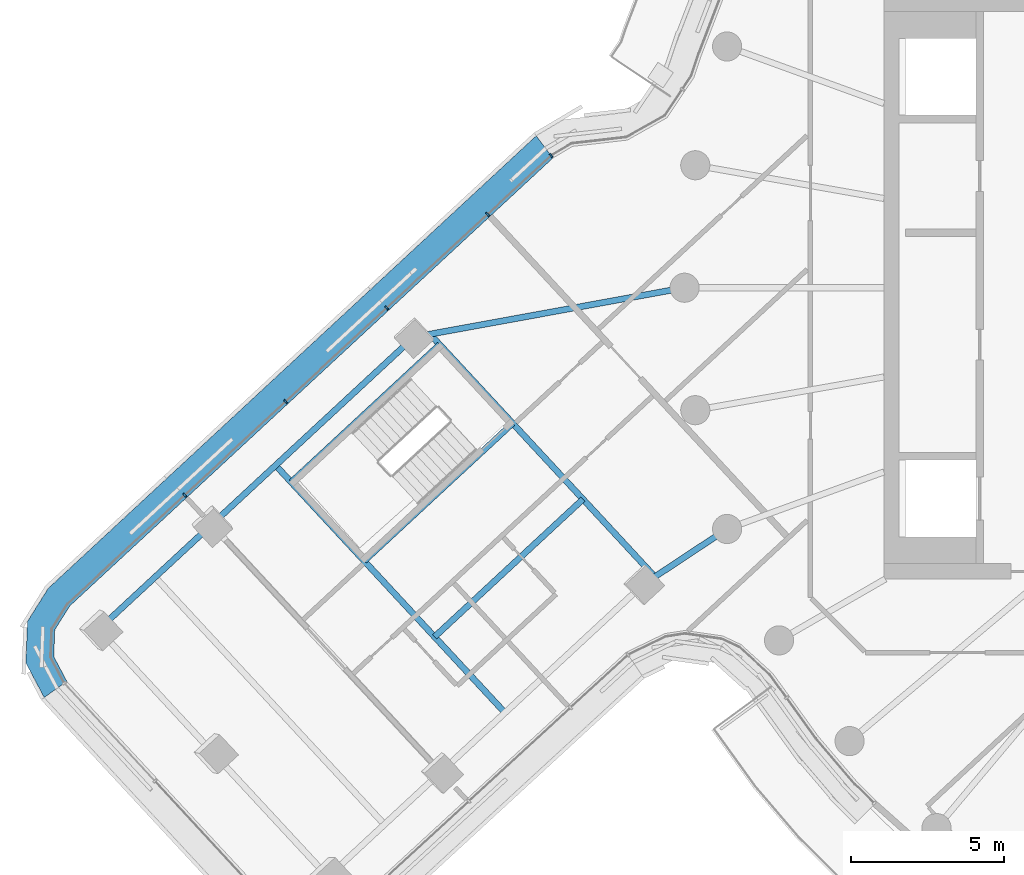
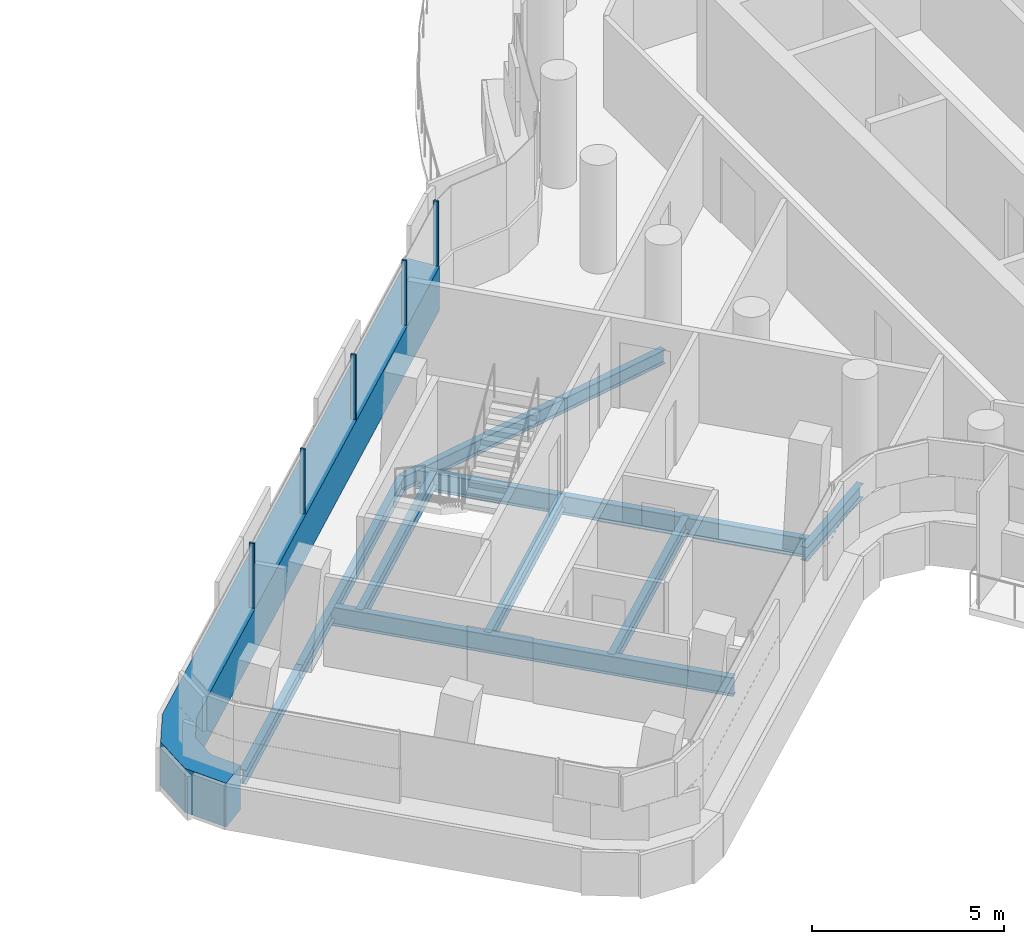
# One storey, part 9 of 34: 9 beams, 6 members, 1 element without a shape of its own.
"""IFC4 building model written with IfcOpenShell, lengths in metres."""

import ifcopenshell
import ifcopenshell.guid

model = None  # the IFC model being written
_history = None  # IfcOwnerHistory: only IFC2X3 demands one
_inside = {}  # id of a spatial element -> (the spatial element, [elements in it])
_under = {}  # id of a project, library or spatial element -> (it, [spatial elements below it])
_declared = {}  # id of a project -> (the project, [libraries it declares])
_typed = {}  # id of a type object -> (the type object, [elements of that type])
_made_of = {}  # id of a material, layer set ... -> (it, [elements and type objects made of it])


def new_model(schema):
    """Start an empty IFC model of exactly this schema.

    Asked for "IFC4X3", IfcOpenShell would pick the latest addendum, in which some entities
    have other attributes; the version numbers below select the first issue.
    IFC2X3 requires an IfcOwnerHistory on every rooted entity: one is made here for all.
    """
    global model, _history
    if schema == "IFC4X3":
        model = ifcopenshell.file(schema_version=(4, 3, 0, 0))
    else:
        model = ifcopenshell.file(schema=schema)
    _inside.clear()
    _under.clear()
    _declared.clear()
    _typed.clear()
    _made_of.clear()
    _history = None
    if model.schema == "IFC2X3":
        org = make("IfcOrganization", Name="unknown")
        user = make(
            "IfcPersonAndOrganization",
            ThePerson=make("IfcPerson", FamilyName="unknown"),
            TheOrganization=org,
        )
        app = make(
            "IfcApplication",
            ApplicationDeveloper=org,
            Version="unknown",
            ApplicationFullName="unknown",
            ApplicationIdentifier="unknown",
        )
        _history = make(
            "IfcOwnerHistory",
            OwningUser=user,
            OwningApplication=app,
            ChangeAction="ADDED",
            CreationDate=0,
        )
    return model


def make(cls, **values):
    """One entity of the class cls with the attributes given. An attribute that is None is left unset."""
    return model.create_entity(
        cls, **{name: value for name, value in values.items() if value is not None}
    )


def rooted(cls, **values):
    """An entity with a GlobalId (a new one), such as an element, a storey or a relation."""
    return make(cls, GlobalId=ifcopenshell.guid.new(), OwnerHistory=_history, **values)


def si_unit(unit_type, name, prefix=None):
    """IfcSIUnit, for example si_unit("LENGTHUNIT", "METRE", prefix="MILLI")."""
    return make("IfcSIUnit", UnitType=unit_type, Prefix=prefix, Name=name)


def assignment(units):
    """IfcUnitAssignment: the units of a project."""
    return None if units is None else make("IfcUnitAssignment", Units=units)


def point(xyz):
    """IfcCartesianPoint."""
    return None if xyz is None else make("IfcCartesianPoint", Coordinates=xyz)


def direction(xyz):
    """IfcDirection."""
    return None if xyz is None else make("IfcDirection", DirectionRatios=xyz)


def frame(location, z_axis=None, x_axis=None):
    """IfcAxis2Placement3D, a coordinate frame: its origin and axes. An axis left out is left unset."""
    return make(
        "IfcAxis2Placement3D",
        Location=point(location),
        Axis=direction(z_axis),
        RefDirection=direction(x_axis),
    )


def frame_2d(location, x_axis=None):
    """IfcAxis2Placement2D, a coordinate frame in the plane: its origin and x axis."""
    return make(
        "IfcAxis2Placement2D", Location=point(location), RefDirection=direction(x_axis)
    )


def origin():
    """The frame at (0, 0, 0) with its axes left unset."""
    return frame((0.0, 0.0, 0.0))


def origin_2d():
    """The frame at (0, 0) in the plane with its x axis left unset."""
    return frame_2d((0.0, 0.0))


def place(relative_to, where):
    """IfcLocalPlacement: puts the frame where relative to a parent placement (None: the world)."""
    return make(
        "IfcLocalPlacement", PlacementRelTo=relative_to, RelativePlacement=where
    )


def context(
    kind, dimensions, precision=None, world=None, true_north=None, identifier=None
):
    """IfcGeometricRepresentationContext, for example the 3D "Model" context."""
    return make(
        "IfcGeometricRepresentationContext",
        ContextIdentifier=identifier,
        ContextType=kind,
        CoordinateSpaceDimension=dimensions,
        Precision=precision,
        WorldCoordinateSystem=world,
        TrueNorth=true_north,
    )


def subcontext(parent, identifier, kind, view, scale=None):
    """IfcGeometricRepresentationSubContext, for example "Body" below "Model"."""
    return make(
        "IfcGeometricRepresentationSubContext",
        ContextIdentifier=identifier,
        ContextType=kind,
        ParentContext=parent,
        TargetScale=scale,
        TargetView=view,
    )


def project(units=None, contexts=None):
    """IfcProject with its units and contexts."""
    return rooted(
        "IfcProject",
        Name="project",
        RepresentationContexts=contexts,
        UnitsInContext=assignment(units),
    )


def spatial(cls, under=None, at=None, **own):
    """A site, building, storey or space (cls), placed at a placement, below another one or the project."""
    s = rooted(cls, ObjectPlacement=at, **own)
    if under is not None:
        _under.setdefault(under.id(), (under, []))[1].append(s)
    return s


def polyline(points):
    """IfcPolyline through the points."""
    return make("IfcPolyline", Points=[point(p) for p in points])


def profile(cls, at=None, kind="AREA", **sizes):
    """A parametric profile (cls). Its sizes go by their IFC names, for example OverallWidth=200.0."""
    return make(cls, ProfileType=kind, Position=at, **sizes)


def rectangle(**sizes):
    """IfcRectangleProfileDef."""
    return profile("IfcRectangleProfileDef", **sizes)


def i_section(**sizes):
    """IfcIShapeProfileDef."""
    return profile("IfcIShapeProfileDef", **sizes)


def outline(outer, holes=None, kind="AREA"):
    """IfcArbitraryClosedProfileDef: a profile drawn as a closed curve; with holes, ...WithVoids."""
    if holes is None:
        return make("IfcArbitraryClosedProfileDef", ProfileType=kind, OuterCurve=outer)
    return make(
        "IfcArbitraryProfileDefWithVoids",
        ProfileType=kind,
        OuterCurve=outer,
        InnerCurves=holes,
    )


def extrude(swept, where, along, depth):
    """IfcExtrudedAreaSolid: the profile swept, set in the frame where, extruded along a direction by depth."""
    return make(
        "IfcExtrudedAreaSolid",
        SweptArea=swept,
        Position=where,
        ExtrudedDirection=direction(along),
        Depth=depth,
    )


def shape(context_of_items, identifier, shape_type, items):
    """IfcShapeRepresentation: the items that make up one representation, for example the "Body"."""
    return make(
        "IfcShapeRepresentation",
        ContextOfItems=context_of_items,
        RepresentationIdentifier=identifier,
        RepresentationType=shape_type,
        Items=items,
    )


def material(Name=None, Category=None):
    """IfcMaterial."""
    return make("IfcMaterial", Name=Name, Category=Category)


def layer(
    of_material, thickness, ventilated=None, Name=None, Category=None, Priority=None
):
    """IfcMaterialLayer: one layer of a wall or slab, of a material (None: an air gap)."""
    return make(
        "IfcMaterialLayer",
        Material=of_material,
        LayerThickness=thickness,
        IsVentilated=ventilated,
        Name=Name,
        Category=Category,
        Priority=Priority,
    )


def layer_set(layers, Name=None):
    """IfcMaterialLayerSet."""
    return make("IfcMaterialLayerSet", MaterialLayers=layers, LayerSetName=Name)


def material_profile(
    of_material, cross_section, Name=None, Category=None, Priority=None
):
    """IfcMaterialProfile: a cross section and its material."""
    return make(
        "IfcMaterialProfile",
        Name=Name,
        Material=of_material,
        Profile=cross_section,
        Priority=Priority,
        Category=Category,
    )


def profile_set(profiles, Name=None, composite=None):
    """IfcMaterialProfileSet."""
    return make(
        "IfcMaterialProfileSet",
        Name=Name,
        MaterialProfiles=profiles,
        CompositeProfile=composite,
    )


def made_of(thing, what):
    """Note that an element or type object is made of a material, layer set ...; save() writes the relation."""
    if what is not None:
        _made_of.setdefault(what.id(), (what, []))[1].append(thing)
    return thing


def type_object(cls, material=None, **own):
    """A type object (cls), such as IfcWallType, which elements share."""
    return made_of(rooted(cls, **own), material)


def element(
    cls,
    number,
    at=None,
    inside=None,
    cuts=None,
    type_object=None,
    material=None,
    context=None,
    identifier="Body",
    shape_type=None,
    held_by="IfcProductDefinitionShape",
    body=None,
    shapes=None,
    **own,
):
    """One element of the class cls, such as IfcWall. Its Tag is "e" and its number.

    at: its placement. inside: the storey or other place that contains it. cuts: it is an
    opening in that element (IfcRelVoidsElement). A single representation is given by context,
    identifier, shape_type and body (its items); several are given by shapes. held_by: the class
    of the entity that holds the representations. save() writes the other relations.
    """
    e = rooted(cls, Tag="e%d" % number, ObjectPlacement=at, **own)
    if body is not None:
        shapes = [shape(context, identifier, shape_type, body)]
    if shapes is not None:
        e.Representation = make(held_by, Representations=shapes)
    if inside is not None:
        _inside.setdefault(inside.id(), (inside, []))[1].append(e)
    if cuts is not None:
        rooted(
            "IfcRelVoidsElement", RelatingBuildingElement=cuts, RelatedOpeningElement=e
        )
    if type_object is not None:
        _typed.setdefault(type_object.id(), (type_object, []))[1].append(e)
    return made_of(e, material)


def aggregate(whole, parts):
    """IfcRelAggregates: a whole, such as a stair, and the parts it consists of."""
    return rooted("IfcRelAggregates", RelatingObject=whole, RelatedObjects=parts)


def save(model, path):
    """Write the relations noted so far, then the file.

    IfcRelAggregates (storeys below a building ...), IfcRelContainedInSpatialStructure (elements
    in a storey), IfcRelDefinesByType, IfcRelAssociatesMaterial and IfcRelDeclares: one each for
    every whole, place, type object, material and project.
    """
    for whole, parts in _under.values():
        aggregate(whole, parts)
    for where, things in _inside.values():
        rooted(
            "IfcRelContainedInSpatialStructure",
            RelatedElements=things,
            RelatingStructure=where,
        )
    for kind, things in _typed.values():
        rooted("IfcRelDefinesByType", RelatedObjects=things, RelatingType=kind)
    for what, things in _made_of.values():
        rooted("IfcRelAssociatesMaterial", RelatedObjects=things, RelatingMaterial=what)
    for by, libraries in _declared.values():
        rooted("IfcRelDeclares", RelatingContext=by, RelatedDefinitions=libraries)
    model.write(path)


model = new_model("IFC4")

# Units and contexts
model_context = context("Model", 3, precision=1e-05, world=origin(), true_north=direction((0.0, 1.0)))
body_context = subcontext(model_context, "Body", "Model", "MODEL_VIEW")
ifc_project = project(units=[si_unit("LENGTHUNIT", "METRE"), si_unit("AREAUNIT", "SQUARE_METRE"), si_unit("VOLUMEUNIT", "CUBIC_METRE"), si_unit("PLANEANGLEUNIT", "RADIAN"), si_unit("MASSUNIT", "GRAM", prefix="KILO")], contexts=[model_context])

# Site, building, storey
site_placement = place(None, origin())
site = spatial("IfcSite", under=ifc_project, at=site_placement, CompositionType="ELEMENT")
building_placement = place(site_placement, origin())
building = spatial("IfcBuilding", under=site, at=building_placement, Name="Tamarind Cross Interchange Tower", CompositionType="ELEMENT")
storey_placement = place(building_placement, frame((0.0, 0.0, 189.699951171875)))
storey = spatial("IfcBuildingStorey", under=building, at=storey_placement, Name="L47", CompositionType="ELEMENT", Elevation=189.699951171875)

# Beams
ifc_material_1 = material(Name="Steel Q355B", Category="steel")
ifc_material_profile_1 = material_profile(ifc_material_1, i_section(OverallWidth=0.198974609375, OverallDepth=0.446044921875, WebThickness=0.008056640625, FlangeThickness=0.011962890625, FilletRadius=0.012939453125, at=origin_2d()), Name="HN 446x199x8x12")
ifc_profile_set_1 = profile_set([ifc_material_profile_1], Name="Steel Q355B")
beam_type_1 = type_object("IfcBeamType", Name="Composite beam HN 446x199x8x12 Q355B", PredefinedType="BEAM", material=ifc_profile_set_1)
beam_1_placement = place(storey_placement, frame((-42.10546875, -11.1416015625, -0.363037109375), z_axis=(0.733287119824, 0.679919112762, 0.0), x_axis=(-0.679919112762, 0.733287119824, 0.0)))
element("IfcBeam", 1, at=beam_1_placement, inside=storey, type_object=beam_type_1, Name="Beam W-edgeem5", PredefinedType="BEAM", context=body_context, shape_type="SweptSolid", body=[
    extrude(i_section(OverallWidth=0.198974609375, OverallDepth=0.446044921875, WebThickness=0.008056640625, FlangeThickness=0.011962890625, FilletRadius=0.012939453125, at=origin_2d()), origin(), (0.0, 0.0, 1.0), 5.018310546875),
])
beam_2_placement = place(storey_placement, frame((-38.425537109375, -7.7294921875, -0.363037109375), z_axis=(0.73328217314, 0.679924447682, 0.0), x_axis=(-0.679924447682, 0.73328217314, 0.0)))
element("IfcBeam", 2, at=beam_2_placement, inside=storey, type_object=beam_type_1, Name="Beam W-edgeem6", PredefinedType="BEAM", context=body_context, shape_type="SweptSolid", body=[
    extrude(i_section(OverallWidth=0.198974609375, OverallDepth=0.446044921875, WebThickness=0.008056640625, FlangeThickness=0.011962890625, FilletRadius=0.012939453125, at=origin_2d()), origin(), (0.0, 0.0, 1.0), 9.0),
])
beam_3_placement = place(storey_placement, frame((-31.825927734375, -1.610107421875, -0.363037109375), z_axis=(0.98376393529, 0.179467321879, 0.0), x_axis=(-0.179467321879, 0.98376393529, 0.0)))
element("IfcBeam", 3, at=beam_3_placement, inside=storey, type_object=beam_type_1, Name="Beam W-linkem", PredefinedType="BEAM", context=body_context, shape_type="SweptSolid", body=[
    extrude(i_section(OverallWidth=0.198974609375, OverallDepth=0.446044921875, WebThickness=0.008056640625, FlangeThickness=0.011962890625, FilletRadius=0.012939453125, at=origin_2d()), origin(), (0.0, 0.0, 1.0), 8.9716796875),
])
beam_4_placement = place(storey_placement, frame((-24.346923828125, -9.67626953125, -0.363037109375), z_axis=(0.833844505206, 0.551999403205, 0.0), x_axis=(-0.551999403205, 0.833844505206, 0.0)))
element("IfcBeam", 4, at=beam_4_placement, inside=storey, type_object=beam_type_1, Name="Beam W-linkep", PredefinedType="BEAM", context=body_context, shape_type="SweptSolid", body=[
    extrude(i_section(OverallWidth=0.198974609375, OverallDepth=0.446044921875, WebThickness=0.008056640625, FlangeThickness=0.011962890625, FilletRadius=0.012939453125, at=origin_2d()), origin(), (0.0, 0.0, 1.0), 3.278564453125),
])
for number, where, z_axis, x_axis, name in (
    (5, (-30.98583984375, -1.854248046875, -0.363037109375), (-0.733309735832, -0.679894720772, 0.0), (0.679894720772, -0.733309735832, 0.0), "Beam W-tr0"),
    (6, (-28.606201171875, -4.420654296875, -0.363037109375), (-0.733291293293, -0.679914611684, 0.0), (0.679914611684, -0.733291293293, 0.0), "Beam W-tr1"),
    (7, (-26.3115234375, -6.8955078125, -0.363037109375), (-0.733291293293, -0.679914611684, 0.0), (0.679914611684, -0.733291293293, 0.0), "Beam W-stripp"),
):
    element("IfcBeam", number, at=place(storey_placement, frame(where, z_axis=z_axis, x_axis=x_axis)), inside=storey, type_object=beam_type_1, Name=name, PredefinedType="BEAM", context=body_context, shape_type="SweptSolid", body=[
        extrude(i_section(OverallWidth=0.198974609375, OverallDepth=0.446044921875, WebThickness=0.008056640625, FlangeThickness=0.011962890625, FilletRadius=0.012939453125, at=origin_2d()), origin(), (0.0, 0.0, 1.0), 6.60009765625),
    ])
ifc_material_profile_2 = material_profile(ifc_material_1, i_section(OverallWidth=0.198974609375, OverallDepth=0.595947265625, WebThickness=0.010009765625, FlangeThickness=0.014892578125, FilletRadius=0.012939453125, at=origin_2d()), Name="HN 596x199x10x15")
ifc_profile_set_2 = profile_set([ifc_material_profile_2], Name="Steel Q355B")
beam_type_2 = type_object("IfcBeamType", Name="Composite beam HN 596x199x10x15 Q355B", PredefinedType="BEAM", material=ifc_profile_set_2)
beam_5_placement = place(storey_placement, frame((-31.301025390625, -1.514404296875, -0.43798828125), z_axis=(0.679919650476, -0.733286621245, 0.0), x_axis=(0.733286621245, 0.679919650476, 0.0)))
element("IfcBeam", 8, at=beam_5_placement, inside=storey, type_object=beam_type_2, Name="Beam W-x298", PredefinedType="BEAM", context=body_context, shape_type="SweptSolid", body=[
    extrude(i_section(OverallWidth=0.198974609375, OverallDepth=0.595947265625, WebThickness=0.010009765625, FlangeThickness=0.014892578125, FilletRadius=0.012939453125, at=origin_2d()), origin(), (0.0, 0.0, 1.0), 10.787353515625),
])
beam_6_placement = place(storey_placement, frame((-36.335693359375, -5.79150390625, -0.43798828125), z_axis=(0.679902677317, -0.73330235877, 0.0), x_axis=(0.73330235877, 0.679902677317, 0.0)))
element("IfcBeam", 9, at=beam_6_placement, inside=storey, type_object=beam_type_2, Name="Beam W-x364", PredefinedType="BEAM", context=body_context, shape_type="SweptSolid", body=[
    extrude(i_section(OverallWidth=0.198974609375, OverallDepth=0.595947265625, WebThickness=0.010009765625, FlangeThickness=0.014892578125, FilletRadius=0.012939453125, at=origin_2d()), origin(), (0.0, 0.0, 1.0), 11.0),
])

# Curtain wall, members
ifc_material_2 = material(Name="Aluminium 6063-T6", Category="aluminium")
ifc_layer = layer(ifc_material_2, 0.139892578125)
ifc_layer_set = layer_set([ifc_layer], Name="Aluminium 6063-T6")
curtain_wall_type = type_object("IfcCurtainWallType", Name="Hotel curtain wall, 4.5 m bays", PredefinedType="NOTDEFINED", material=ifc_layer_set)
curtain_wall_placement = place(storey_placement, origin())
curtain_wall = element("IfcCurtainWall", 10, at=curtain_wall_placement, inside=storey, type_object=curtain_wall_type, Name="CWS-L47-07", PredefinedType="NOTDEFINED")
ifc_material_3 = material(Name="Aluminium and insulated spandrel panel", Category="aluminium")
member_type_1 = type_object("IfcMemberType", Name="Floor-edge blade transom", PredefinedType="USERDEFINED", material=ifc_material_3)
member_1_placement = place(storey_placement, origin())
member_1 = element("IfcMember", 11, at=member_1_placement, type_object=member_type_1, Name="CWT-L47-07", ObjectType="TRANSOM", PredefinedType="USERDEFINED", context=body_context, shape_type="SweptSolid", body=[
    extrude(outline(polyline([(-27.29296875, 4.229248046875), (-43.04833984375, -10.379150390625), (-43.53564453125, -11.154052734375), (-43.568603515625, -12.028076171875), (-43.14111328125, -12.83740234375), (-43.881591796875, -13.362548828125), (-44.47705078125, -12.23486328125), (-44.42578125, -10.879150390625), (-43.7470703125, -9.7998046875), (-27.834716796875, 4.954345703125), (-27.29296875, 4.229248046875)])), origin(), (0.0, 0.0, 1.0), 1.400146484375),
])
ifc_material_profile_3 = material_profile(ifc_material_2, rectangle(XDim=0.06005859375, YDim=0.139892578125, at=origin_2d()), Name="Mullion CW2")
ifc_profile_set_3 = profile_set([ifc_material_profile_3], Name="Aluminium 6063-T6")
member_type_2 = type_object("IfcMemberType", Name="Mullion CW2", PredefinedType="MULLION", material=ifc_profile_set_3)
member_2_placement = place(storey_placement, frame((-27.353271484375, 4.309814453125, 1.400146484375), z_axis=(0.0, 0.0, 1.0), x_axis=(-0.801135711744, -0.598482724369, 0.0)))
member_2 = element("IfcMember", 12, at=member_2_placement, type_object=member_type_2, Name="CWM-L47-07-00", PredefinedType="MULLION", context=body_context, shape_type="SweptSolid", body=[
    extrude(rectangle(XDim=0.06005859375, YDim=0.139892578125, at=origin_2d()), origin(), (0.0, 0.0, 1.0), 2.059814453125),
])
member_3_placement = place(storey_placement, frame((-29.4208984375, 2.392578125, 1.400146484375), z_axis=(0.0, 0.0, 1.0), x_axis=(-0.73329332084, -0.679912424958, 0.0)))
member_3 = element("IfcMember", 13, at=member_3_placement, type_object=member_type_2, Name="CWM-L47-07-01", PredefinedType="MULLION", context=body_context, shape_type="SweptSolid", body=[
    extrude(rectangle(XDim=0.06005859375, YDim=0.139892578125, at=origin_2d()), origin(), (0.0, 0.0, 1.0), 2.059814453125),
])
member_4_placement = place(storey_placement, frame((-32.71337890625, -0.660400390625, 1.400146484375), z_axis=(0.0, 0.0, 1.0), x_axis=(-0.73329332084, -0.679912424958, 0.0)))
member_4 = element("IfcMember", 14, at=member_4_placement, type_object=member_type_2, Name="CWM-L47-07-02", PredefinedType="MULLION", context=body_context, shape_type="SweptSolid", body=[
    extrude(rectangle(XDim=0.06005859375, YDim=0.139892578125, at=origin_2d()), origin(), (0.0, 0.0, 1.0), 2.059814453125),
])
member_5_placement = place(storey_placement, frame((-36.006103515625, -3.713134765625, 1.400146484375), z_axis=(0.0, 0.0, 1.0), x_axis=(-0.73329332084, -0.679912424958, 0.0)))
member_5 = element("IfcMember", 15, at=member_5_placement, type_object=member_type_2, Name="CWM-L47-07-03", PredefinedType="MULLION", context=body_context, shape_type="SweptSolid", body=[
    extrude(rectangle(XDim=0.06005859375, YDim=0.139892578125, at=origin_2d()), origin(), (0.0, 0.0, 1.0), 2.059814453125),
])
member_6_placement = place(storey_placement, frame((-39.298583984375, -6.76611328125, 1.400146484375), z_axis=(0.0, 0.0, 1.0), x_axis=(-0.73329332084, -0.679912424958, 0.0)))
member_6 = element("IfcMember", 16, at=member_6_placement, type_object=member_type_2, Name="CWM-L47-07-04", PredefinedType="MULLION", context=body_context, shape_type="SweptSolid", body=[
    extrude(rectangle(XDim=0.06005859375, YDim=0.139892578125, at=origin_2d()), origin(), (0.0, 0.0, 1.0), 2.059814453125),
])
aggregate(curtain_wall, [member_2, member_3, member_4, member_5, member_6, member_1])

save(model, "model.ifc")
